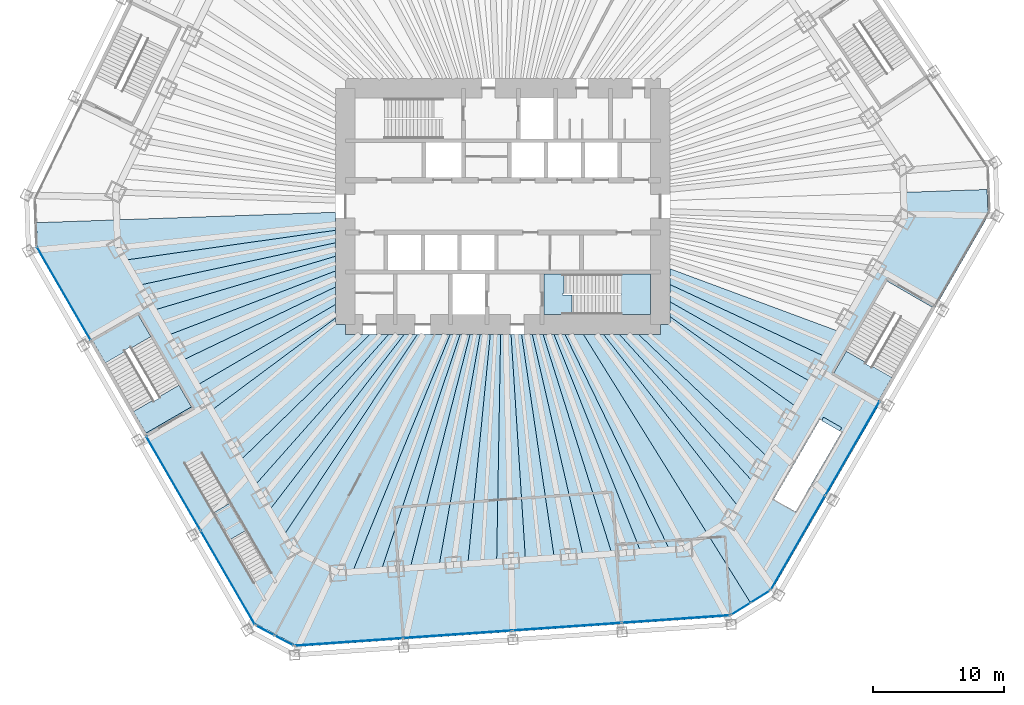
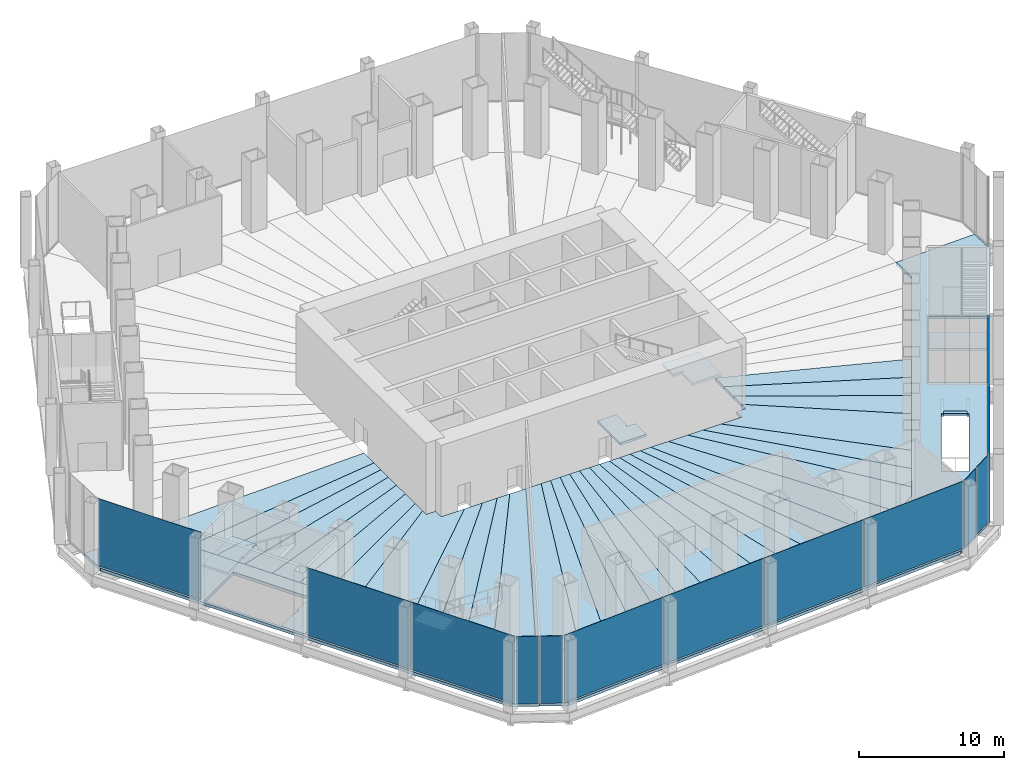
# One storey, part 16 of 23: 42 slabs, 13 plates, 10 elements without a shape of their own.
"""IFC4 building model written with IfcOpenShell, lengths in metres."""

from ifc_helpers import new_model, si_unit, direction, frame, origin, origin_2d, place, context, subcontext, project, spatial, polyline, rectangle, outline, extrude, material, layer, layer_set, constituent, constituent_set, type_object, element, aggregate, save


model = new_model("IFC4")

# Units and contexts
model_context = context("Model", 3, precision=1e-05, world=origin(), true_north=direction((0.0, 1.0)))
body_context = subcontext(model_context, "Body", "Model", "MODEL_VIEW")
ifc_project = project(units=[si_unit("LENGTHUNIT", "METRE"), si_unit("AREAUNIT", "SQUARE_METRE"), si_unit("VOLUMEUNIT", "CUBIC_METRE"), si_unit("PLANEANGLEUNIT", "RADIAN"), si_unit("MASSUNIT", "GRAM", prefix="KILO")], contexts=[model_context])

# Site, building, storey
site_placement = place(None, origin())
site = spatial("IfcSite", under=ifc_project, at=site_placement, CompositionType="ELEMENT")
building_placement = place(site_placement, origin())
building = spatial("IfcBuilding", under=site, at=building_placement, Name="Qingtian Harvest Tower", CompositionType="ELEMENT")
storey_placement = place(building_placement, frame((0.0, 0.0, 6.0)))
storey = spatial("IfcBuildingStorey", under=building, at=storey_placement, Name="L01", CompositionType="ELEMENT", Elevation=6.0)

# Slabs
ifc_material_1 = material(Name="Concrete fc' 35 MPa", Category="concrete")
ifc_layer_1 = layer(ifc_material_1, 0.25)
ifc_layer_set_1 = layer_set([ifc_layer_1], Name="Composite floor slab FS25 250")
slab_type_1 = type_object("IfcSlabType", Name="Composite floor slab FS25 250", PredefinedType="FLOOR", material=ifc_layer_set_1)
slab_1_placement = place(storey_placement, frame((0.0, 0.0, -0.25)))
element("IfcSlab", 1, at=slab_1_placement, inside=storey, type_object=slab_type_1, Name="Floor slab L01 panel DPSE", PredefinedType="FLOOR", context=body_context, shape_type="SweptSolid", body=[
    extrude(outline(polyline([(18.848388671875, -30.163818359375), (15.607421875, -24.977294921875), (17.404541015625, -23.854248046875), (30.618408203125, -0.96728515625), (30.54736328125, 1.066650390625), (36.9111328125, 1.2890625), (36.982177734375, -0.7451171875), (20.6455078125, -29.040771484375), (18.848388671875, -30.163818359375)]), holes=[polyline([(28.739501953125, -14.62158203125), (32.740478515625, -7.69189453125), (29.2763671875, -5.69189453125), (25.275390625, -12.62158203125), (28.739501953125, -14.62158203125)]), polyline([(25.832763671875, -16.86767578125), (24.447265625, -16.067626953125), (24.296630859375, -16.328369140625), (24.167236328125, -16.25244140625), (20.662353515625, -22.3232421875), (22.3076171875, -23.273193359375), (25.812744140625, -17.202392578125), (25.682373046875, -17.128173828125), (25.832763671875, -16.86767578125)])]), origin(), (0.0, 0.0, 1.0), 0.25),
])
slab_2_placement = place(storey_placement, frame((0.0, 0.0, -0.25)))
element("IfcSlab", 2, at=slab_2_placement, inside=storey, type_object=slab_type_1, Name="Floor slab L01 panel DPS", PredefinedType="FLOOR", context=body_context, shape_type="SweptSolid", body=[
    extrude(outline(polyline([(-17.33935546875, -32.6103515625), (-14.349853515625, -26.98828125), (-12.552734375, -27.943603515625), (13.810546875, -26.10009765625), (15.607421875, -24.977294921875), (18.848388671875, -30.163818359375), (17.05126953125, -31.286865234375), (-15.542236328125, -33.56591796875), (-17.33935546875, -32.6103515625)])), origin(), (0.0, 0.0, 1.0), 0.25),
])
slab_3_placement = place(storey_placement, frame((0.0, 0.0, -0.25)))
element("IfcSlab", 3, at=slab_3_placement, inside=storey, type_object=slab_type_1, Name="Floor slab L01 panel DPSW", PredefinedType="FLOOR", context=body_context, shape_type="SweptSolid", body=[
    extrude(outline(polyline([(-35.546875, -1.2412109375), (-29.434814453125, -1.02783203125), (-29.36083984375, -3.145751953125), (-16.14697265625, -26.03271484375), (-14.349853515625, -26.98828125), (-17.33935546875, -32.6103515625), (-19.13623046875, -31.65478515625), (-35.472900390625, -3.359130859375), (-35.546875, -1.2412109375)]), holes=[polyline([(-31.203369140625, -10.354248046875), (-27.202392578125, -17.283935546875), (-23.73828125, -15.283935546875), (-27.7392578125, -8.354248046875), (-31.203369140625, -10.354248046875)])]), origin(), (0.0, 0.0, 1.0), 0.25),
])
slab_4_placement = place(storey_placement, frame((0.0, 0.0, -0.25)))
element("IfcSlab", 4, at=slab_4_placement, inside=storey, type_object=slab_type_1, Name="Floor slab L01 panel D01", PredefinedType="FLOOR", context=body_context, shape_type="SweptSolid", body=[
    extrude(outline(polyline([(-12.75, -0.447509765625), (-12.75, -1.822998046875), (-28.810302734375, -4.099365234375), (-29.36083984375, -3.145751953125), (-29.434814453125, -1.02783203125), (-12.75, -0.447509765625)])), origin(), (0.0, 0.0, 1.0), 0.25),
])
slab_5_placement = place(storey_placement, frame((0.0, 0.0, -0.25)))
element("IfcSlab", 5, at=slab_5_placement, inside=storey, type_object=slab_type_1, Name="Floor slab L01 panel D02", PredefinedType="FLOOR", context=body_context, shape_type="SweptSolid", body=[
    extrude(outline(polyline([(-12.75, -2.773681640625), (-27.708984375, -6.006591796875), (-28.810302734375, -4.099365234375), (-12.75, -1.822998046875), (-12.75, -2.773681640625)])), origin(), (0.0, 0.0, 1.0), 0.25),
])
slab_6_placement = place(storey_placement, frame((0.0, 0.0, -0.25)))
element("IfcSlab", 6, at=slab_6_placement, inside=storey, type_object=slab_type_1, Name="Floor slab L01 panel D03", PredefinedType="FLOOR", context=body_context, shape_type="SweptSolid", body=[
    extrude(outline(polyline([(-12.75, -3.80322265625), (-26.60791015625, -7.913818359375), (-27.708984375, -6.006591796875), (-12.75, -2.773681640625), (-12.75, -3.80322265625)])), origin(), (0.0, 0.0, 1.0), 0.25),
])
slab_7_placement = place(storey_placement, frame((0.0, 0.0, -0.25)))
element("IfcSlab", 7, at=slab_7_placement, inside=storey, type_object=slab_type_1, Name="Floor slab L01 panel D04", PredefinedType="FLOOR", context=body_context, shape_type="SweptSolid", body=[
    extrude(outline(polyline([(-12.75, -4.921875), (-25.5068359375, -9.821044921875), (-26.60791015625, -7.913818359375), (-12.75, -3.80322265625), (-12.75, -4.921875)])), origin(), (0.0, 0.0, 1.0), 0.25),
])
slab_8_placement = place(storey_placement, frame((0.0, 0.0, -0.25)))
element("IfcSlab", 8, at=slab_8_placement, inside=storey, type_object=slab_type_1, Name="Floor slab L01 panel D05", PredefinedType="FLOOR", context=body_context, shape_type="SweptSolid", body=[
    extrude(outline(polyline([(-12.75, -6.141357421875), (-24.405517578125, -11.728271484375), (-25.5068359375, -9.821044921875), (-12.75, -4.921875), (-12.75, -6.141357421875)])), origin(), (0.0, 0.0, 1.0), 0.25),
])
slab_9_placement = place(storey_placement, frame((0.0, 0.0, -0.25)))
element("IfcSlab", 9, at=slab_9_placement, inside=storey, type_object=slab_type_1, Name="Floor slab L01 panel D06", PredefinedType="FLOOR", context=body_context, shape_type="SweptSolid", body=[
    extrude(outline(polyline([(-12.75, -7.4765625), (-23.304443359375, -13.635498046875), (-24.405517578125, -11.728271484375), (-12.75, -6.141357421875), (-12.75, -7.4765625)])), origin(), (0.0, 0.0, 1.0), 0.25),
])
slab_10_placement = place(storey_placement, frame((0.0, 0.0, -0.25)))
element("IfcSlab", 10, at=slab_10_placement, inside=storey, type_object=slab_type_1, Name="Floor slab L01 panel D07", PredefinedType="FLOOR", context=body_context, shape_type="SweptSolid", body=[
    extrude(outline(polyline([(-12.75, -8.512451171875), (-22.203369140625, -15.542724609375), (-23.304443359375, -13.635498046875), (-12.75, -7.4765625), (-12.75, -8.512451171875)])), origin(), (0.0, 0.0, 1.0), 0.25),
])
slab_11_placement = place(storey_placement, frame((0.0, 0.0, -0.25)))
element("IfcSlab", 11, at=slab_11_placement, inside=storey, type_object=slab_type_1, Name="Floor slab L01 panel D09", PredefinedType="FLOOR", context=body_context, shape_type="SweptSolid", body=[
    extrude(outline(polyline([(-20.0009765625, -19.357177734375), (-22.203369140625, -15.542724609375), (-12.75, -8.512451171875), (-12.75, -9.0), (-12.0, -9.0), (-12.0, -9.75), (-10.1123046875, -9.75), (-20.0009765625, -19.357177734375)])), origin(), (0.0, 0.0, 1.0), 0.25),
])
slab_12_placement = place(storey_placement, frame((0.0, 0.0, -0.25)))
element("IfcSlab", 12, at=slab_12_placement, inside=storey, type_object=slab_type_1, Name="Floor slab L01 panel D10", PredefinedType="FLOOR", context=body_context, shape_type="SweptSolid", body=[
    extrude(outline(polyline([(-8.694580078125, -9.75), (-18.89990234375, -21.2646484375), (-20.0009765625, -19.357177734375), (-10.1123046875, -9.75), (-8.694580078125, -9.75)])), origin(), (0.0, 0.0, 1.0), 0.25),
])
slab_13_placement = place(storey_placement, frame((0.0, 0.0, -0.25)))
element("IfcSlab", 13, at=slab_13_placement, inside=storey, type_object=slab_type_1, Name="Floor slab L01 panel D11", PredefinedType="FLOOR", context=body_context, shape_type="SweptSolid", body=[
    extrude(outline(polyline([(-7.511474609375, -9.75), (-17.798583984375, -23.171875), (-18.89990234375, -21.2646484375), (-8.694580078125, -9.75), (-7.511474609375, -9.75)])), origin(), (0.0, 0.0, 1.0), 0.25),
])
slab_14_placement = place(storey_placement, frame((0.0, 0.0, -0.25)))
element("IfcSlab", 14, at=slab_14_placement, inside=storey, type_object=slab_type_1, Name="Floor slab L01 panel D12", PredefinedType="FLOOR", context=body_context, shape_type="SweptSolid", body=[
    extrude(outline(polyline([(-6.509033203125, -9.75), (-16.697509765625, -25.0791015625), (-17.798583984375, -23.171875), (-7.511474609375, -9.75), (-6.509033203125, -9.75)])), origin(), (0.0, 0.0, 1.0), 0.25),
])
slab_15_placement = place(storey_placement, frame((0.0, 0.0, -0.25)))
element("IfcSlab", 15, at=slab_15_placement, inside=storey, type_object=slab_type_1, Name="Floor slab L01 panel D13", PredefinedType="FLOOR", context=body_context, shape_type="SweptSolid", body=[
    extrude(outline(polyline([(-6.509033203125, -9.75), (-5.213623046875, -9.75), (-14.349853515625, -26.98828125), (-16.14697265625, -26.03271484375), (-16.697509765625, -25.0791015625), (-6.509033203125, -9.75)])), origin(), (0.0, 0.0, 1.0), 0.25),
])
slab_16_placement = place(storey_placement, frame((0.0, 0.0, -0.25)))
element("IfcSlab", 16, at=slab_16_placement, inside=storey, type_object=slab_type_1, Name="Floor slab L01 panel D14", PredefinedType="FLOOR", context=body_context, shape_type="SweptSolid", body=[
    extrude(outline(polyline([(-5.213623046875, -9.75), (-4.006591796875, -9.75), (-11.454345703125, -27.866943359375), (-12.552734375, -27.943603515625), (-14.349853515625, -26.98828125), (-5.213623046875, -9.75)])), origin(), (0.0, 0.0, 1.0), 0.25),
])
slab_17_placement = place(storey_placement, frame((0.0, 0.0, -0.25)))
element("IfcSlab", 17, at=slab_17_placement, inside=storey, type_object=slab_type_1, Name="Floor slab L01 panel D15", PredefinedType="FLOOR", context=body_context, shape_type="SweptSolid", body=[
    extrude(outline(polyline([(-3.255859375, -9.75), (-9.25732421875, -27.71337890625), (-11.454345703125, -27.866943359375), (-4.006591796875, -9.75), (-3.255859375, -9.75)])), origin(), (0.0, 0.0, 1.0), 0.25),
])
slab_18_placement = place(storey_placement, frame((0.0, 0.0, -0.25)))
element("IfcSlab", 18, at=slab_18_placement, inside=storey, type_object=slab_type_1, Name="Floor slab L01 panel D16", PredefinedType="FLOOR", context=body_context, shape_type="SweptSolid", body=[
    extrude(outline(polyline([(-2.496826171875, -9.75), (-7.060546875, -27.5595703125), (-9.25732421875, -27.71337890625), (-3.255859375, -9.75), (-2.496826171875, -9.75)])), origin(), (0.0, 0.0, 1.0), 0.25),
])
slab_19_placement = place(storey_placement, frame((0.0, 0.0, -0.25)))
element("IfcSlab", 19, at=slab_19_placement, inside=storey, type_object=slab_type_1, Name="Floor slab L01 panel D17", PredefinedType="FLOOR", context=body_context, shape_type="SweptSolid", body=[
    extrude(outline(polyline([(-1.729248046875, -9.75), (-4.863525390625, -27.406005859375), (-7.060546875, -27.5595703125), (-2.496826171875, -9.75), (-1.729248046875, -9.75)])), origin(), (0.0, 0.0, 1.0), 0.25),
])
slab_20_placement = place(storey_placement, frame((0.0, 0.0, -0.25)))
element("IfcSlab", 20, at=slab_20_placement, inside=storey, type_object=slab_type_1, Name="Floor slab L01 panel D18", PredefinedType="FLOOR", context=body_context, shape_type="SweptSolid", body=[
    extrude(outline(polyline([(-0.952880859375, -9.75), (-2.66650390625, -27.25244140625), (-4.863525390625, -27.406005859375), (-1.729248046875, -9.75), (-0.952880859375, -9.75)])), origin(), (0.0, 0.0, 1.0), 0.25),
])
slab_21_placement = place(storey_placement, frame((0.0, 0.0, -0.25)))
element("IfcSlab", 21, at=slab_21_placement, inside=storey, type_object=slab_type_1, Name="Floor slab L01 panel D19", PredefinedType="FLOOR", context=body_context, shape_type="SweptSolid", body=[
    extrude(outline(polyline([(-0.16796875, -9.75), (-0.4697265625, -27.098876953125), (-2.66650390625, -27.25244140625), (-0.952880859375, -9.75), (-0.16796875, -9.75)])), origin(), (0.0, 0.0, 1.0), 0.25),
])
slab_22_placement = place(storey_placement, frame((0.0, 0.0, -0.25)))
element("IfcSlab", 22, at=slab_22_placement, inside=storey, type_object=slab_type_1, Name="Floor slab L01 panel D20", PredefinedType="FLOOR", context=body_context, shape_type="SweptSolid", body=[
    extrude(outline(polyline([(0.626220703125, -9.75), (1.727294921875, -26.945068359375), (-0.4697265625, -27.098876953125), (-0.16796875, -9.75), (0.626220703125, -9.75)])), origin(), (0.0, 0.0, 1.0), 0.25),
])
slab_23_placement = place(storey_placement, frame((0.0, 0.0, -0.25)))
element("IfcSlab", 23, at=slab_23_placement, inside=storey, type_object=slab_type_1, Name="Floor slab L01 panel D21", PredefinedType="FLOOR", context=body_context, shape_type="SweptSolid", body=[
    extrude(outline(polyline([(1.42919921875, -9.75), (3.92431640625, -26.79150390625), (1.727294921875, -26.945068359375), (0.626220703125, -9.75), (1.42919921875, -9.75)])), origin(), (0.0, 0.0, 1.0), 0.25),
])
slab_24_placement = place(storey_placement, frame((0.0, 0.0, -0.25)))
element("IfcSlab", 24, at=slab_24_placement, inside=storey, type_object=slab_type_1, Name="Floor slab L01 panel D22", PredefinedType="FLOOR", context=body_context, shape_type="SweptSolid", body=[
    extrude(outline(polyline([(2.24169921875, -9.75), (6.12109375, -26.637939453125), (3.92431640625, -26.79150390625), (1.42919921875, -9.75), (2.24169921875, -9.75)])), origin(), (0.0, 0.0, 1.0), 0.25),
])
slab_25_placement = place(storey_placement, frame((0.0, 0.0, -0.25)))
element("IfcSlab", 25, at=slab_25_placement, inside=storey, type_object=slab_type_1, Name="Floor slab L01 panel D23", PredefinedType="FLOOR", context=body_context, shape_type="SweptSolid", body=[
    extrude(outline(polyline([(3.0634765625, -9.75), (8.318115234375, -26.484375), (6.12109375, -26.637939453125), (2.24169921875, -9.75), (3.0634765625, -9.75)])), origin(), (0.0, 0.0, 1.0), 0.25),
])
slab_26_placement = place(storey_placement, frame((0.0, 0.0, -0.25)))
element("IfcSlab", 26, at=slab_26_placement, inside=storey, type_object=slab_type_1, Name="Floor slab L01 panel D24", PredefinedType="FLOOR", context=body_context, shape_type="SweptSolid", body=[
    extrude(outline(polyline([(3.894775390625, -9.75), (10.51513671875, -26.33056640625), (8.318115234375, -26.484375), (3.0634765625, -9.75), (3.894775390625, -9.75)])), origin(), (0.0, 0.0, 1.0), 0.25),
])
slab_27_placement = place(storey_placement, frame((0.0, 0.0, -0.25)))
element("IfcSlab", 27, at=slab_27_placement, inside=storey, type_object=slab_type_1, Name="Floor slab L01 panel D25", PredefinedType="FLOOR", context=body_context, shape_type="SweptSolid", body=[
    extrude(outline(polyline([(4.736083984375, -9.75), (12.7119140625, -26.177001953125), (10.51513671875, -26.33056640625), (3.894775390625, -9.75), (4.736083984375, -9.75)])), origin(), (0.0, 0.0, 1.0), 0.25),
])
slab_28_placement = place(storey_placement, frame((0.0, 0.0, -0.25)))
element("IfcSlab", 28, at=slab_28_placement, inside=storey, type_object=slab_type_1, Name="Floor slab L01 panel D26", PredefinedType="FLOOR", context=body_context, shape_type="SweptSolid", body=[
    extrude(outline(polyline([(4.736083984375, -9.75), (6.136474609375, -9.75), (15.607421875, -24.977294921875), (13.810546875, -26.10009765625), (12.7119140625, -26.177001953125), (4.736083984375, -9.75)])), origin(), (0.0, 0.0, 1.0), 0.25),
])
slab_29_placement = place(storey_placement, frame((0.0, 0.0, -0.25)))
element("IfcSlab", 29, at=slab_29_placement, inside=storey, type_object=slab_type_1, Name="Floor slab L01 panel D27", PredefinedType="FLOOR", context=body_context, shape_type="SweptSolid", body=[
    extrude(outline(polyline([(6.136474609375, -9.75), (7.66748046875, -9.75), (17.955078125, -22.900634765625), (17.404541015625, -23.854248046875), (15.607421875, -24.977294921875), (6.136474609375, -9.75)])), origin(), (0.0, 0.0, 1.0), 0.25),
])
slab_30_placement = place(storey_placement, frame((0.0, 0.0, -0.25)))
element("IfcSlab", 30, at=slab_30_placement, inside=storey, type_object=slab_type_1, Name="Floor slab L01 panel D28", PredefinedType="FLOOR", context=body_context, shape_type="SweptSolid", body=[
    extrude(outline(polyline([(8.88037109375, -9.75), (19.056396484375, -20.993408203125), (17.955078125, -22.900634765625), (7.66748046875, -9.75), (8.88037109375, -9.75)])), origin(), (0.0, 0.0, 1.0), 0.25),
])
slab_31_placement = place(storey_placement, frame((0.0, 0.0, -0.25)))
element("IfcSlab", 31, at=slab_31_placement, inside=storey, type_object=slab_type_1, Name="Floor slab L01 panel D29", PredefinedType="FLOOR", context=body_context, shape_type="SweptSolid", body=[
    extrude(outline(polyline([(10.337158203125, -9.75), (20.157470703125, -19.086181640625), (19.056396484375, -20.993408203125), (8.88037109375, -9.75), (10.337158203125, -9.75)])), origin(), (0.0, 0.0, 1.0), 0.25),
])
slab_32_placement = place(storey_placement, frame((0.0, 0.0, -0.25)))
element("IfcSlab", 32, at=slab_32_placement, inside=storey, type_object=slab_type_1, Name="Floor slab L01 panel D31", PredefinedType="FLOOR", context=body_context, shape_type="SweptSolid", body=[
    extrude(outline(polyline([(12.75, -8.4091796875), (22.35986328125, -15.271728515625), (20.157470703125, -19.086181640625), (10.337158203125, -9.75), (12.0, -9.75), (12.0, -9.0), (12.75, -9.0), (12.75, -8.4091796875)])), origin(), (0.0, 0.0, 1.0), 0.25),
])
slab_33_placement = place(storey_placement, frame((0.0, 0.0, -0.25)))
element("IfcSlab", 33, at=slab_33_placement, inside=storey, type_object=slab_type_1, Name="Floor slab L01 panel D32", PredefinedType="FLOOR", context=body_context, shape_type="SweptSolid", body=[
    extrude(outline(polyline([(12.75, -7.279052734375), (23.4609375, -13.364501953125), (22.35986328125, -15.271728515625), (12.75, -8.4091796875), (12.75, -7.279052734375)])), origin(), (0.0, 0.0, 1.0), 0.25),
])
slab_34_placement = place(storey_placement, frame((0.0, 0.0, -0.25)))
element("IfcSlab", 34, at=slab_34_placement, inside=storey, type_object=slab_type_1, Name="Floor slab L01 panel D33", PredefinedType="FLOOR", context=body_context, shape_type="SweptSolid", body=[
    extrude(outline(polyline([(12.75, -5.96142578125), (24.56201171875, -11.457275390625), (23.4609375, -13.364501953125), (12.75, -7.279052734375), (12.75, -5.96142578125)])), origin(), (0.0, 0.0, 1.0), 0.25),
])
slab_35_placement = place(storey_placement, frame((0.0, 0.0, -0.25)))
element("IfcSlab", 35, at=slab_35_placement, inside=storey, type_object=slab_type_1, Name="Floor slab L01 panel D34", PredefinedType="FLOOR", context=body_context, shape_type="SweptSolid", body=[
    extrude(outline(polyline([(12.75, -4.757080078125), (25.663330078125, -9.550048828125), (24.56201171875, -11.457275390625), (12.75, -5.96142578125), (12.75, -4.757080078125)])), origin(), (0.0, 0.0, 1.0), 0.25),
])
ifc_material_2 = material(Name="Steel deck with terrazzo", Category="steel")
ifc_layer_2 = layer(ifc_material_2, 0.199951171875)
ifc_layer_set_2 = layer_set([ifc_layer_2], Name="Feature stair landing SL3 200")
slab_type_2 = type_object("IfcSlabType", Name="Feature stair landing SL3 200", PredefinedType="LANDING", material=ifc_layer_set_2)
slab_36_placement = place(storey_placement, frame((0.0, 0.0, -0.199951171875)))
element("IfcSlab", 36, at=slab_36_placement, inside=storey, type_object=slab_type_2, Name="Feature stair FS1 top landing", PredefinedType="LANDING", context=body_context, shape_type="SweptSolid", body=[
    extrude(outline(polyline([(25.682373046875, -17.128173828125), (25.832763671875, -16.86767578125), (24.447265625, -16.067626953125), (24.296630859375, -16.328369140625), (25.682373046875, -17.128173828125)])), origin(), (0.0, 0.0, 1.0), 0.199951171875),
])

# Stair, slab
ifc_material_3 = material(Name="Steel SN490B (325 MPa)", Category="steel")
ifc_constituent_1 = constituent(ifc_material_3, Name="Stringers")
ifc_material_4 = material(Name="Terrazzo treads")
ifc_constituent_2 = constituent(ifc_material_4, Name="Treads")
ifc_constituent_set = constituent_set(constituents=[ifc_constituent_1, ifc_constituent_2], Name="Steel SN490B (325 MPa)")
stair_type_1 = type_object("IfcStairType", Name="Feature stair FS6000 straight run", PredefinedType="STRAIGHT_RUN_STAIR", material=ifc_constituent_set)
stair_1_placement = place(storey_placement, origin())
stair_1 = element("IfcStair", 37, at=stair_1_placement, inside=storey, type_object=stair_type_1, Name="Feature stair FS4 L01 to L02", PredefinedType="STRAIGHT_RUN_STAIR")
slab_37_placement = place(storey_placement, frame((0.0, 0.0, 2.800048828125)))
slab_37 = element("IfcSlab", 38, at=slab_37_placement, type_object=slab_type_2, Name="FS4 landing 1", PredefinedType="LANDING", context=body_context, shape_type="SweptSolid", body=[
    extrude(outline(polyline([(-20.707275390625, -22.570556640625), (-19.502197265625, -24.65771484375), (-20.887939453125, -25.457763671875), (-22.0927734375, -23.37060546875), (-20.707275390625, -22.570556640625)])), origin(), (0.0, 0.0, 1.0), 0.199951171875),
])
aggregate(stair_1, [slab_37])

# Curtain wall, plates
ifc_material_5 = material(Name="Bronze-anodised aluminium curtain wall", Category="aluminium")
curtain_wall_type = type_object("IfcCurtainWallType", Name="Curtain wall CW1 podium shopfront", PredefinedType="USERDEFINED", material=ifc_material_5)
curtain_wall_1_placement = place(storey_placement, origin())
curtain_wall_1 = element("IfcCurtainWall", 39, at=curtain_wall_1_placement, inside=storey, type_object=curtain_wall_type, Name="Curtain wall CW1 L01 SE2-3", ObjectType="RECESSED CURTAIN WALL", PredefinedType="USERDEFINED")
ifc_material_6 = material(Name="Bronze-tinted laminated insulating glass", Category="glass")
ifc_layer_3 = layer(ifc_material_6, 0.030029296875)
ifc_layer_set_3 = layer_set([ifc_layer_3], Name="Glazed panel CWP tinted IGU")
plate_type = type_object("IfcPlateType", Name="Glazed panel CWP tinted IGU", PredefinedType="CURTAIN_PANEL", material=ifc_layer_set_3)
plate_1_placement = place(storey_placement, frame((26.647705078125, -18.445068359375, 0.06494140625), z_axis=(0.0, 0.0, 1.0), x_axis=(-0.5, -0.866025403784, 0.0)))
plate_1 = element("IfcPlate", 40, at=plate_1_placement, type_object=plate_type, Name="CW1 panel 1.1", PredefinedType="CURTAIN_PANEL", context=body_context, shape_type="SweptSolid", body=[
    extrude(rectangle(XDim=8.244384765625, YDim=0.030029296875, at=origin_2d()), origin(), (0.0, 0.0, 1.0), 5.68505859375),
])
plate_2_placement = place(storey_placement, frame((22.492919921875, -25.64111328125, 0.06494140625), z_axis=(0.0, 0.0, 1.0), x_axis=(-0.5, -0.866025403784, 0.0)))
plate_2 = element("IfcPlate", 41, at=plate_2_placement, type_object=plate_type, Name="CW1 panel 2.1", PredefinedType="CURTAIN_PANEL", context=body_context, shape_type="SweptSolid", body=[
    extrude(rectangle(XDim=8.244384765625, YDim=0.030029296875, at=origin_2d()), origin(), (0.0, 0.0, 1.0), 5.68505859375),
])
aggregate(curtain_wall_1, [plate_1, plate_2])

curtain_wall_2_placement = place(storey_placement, origin())
curtain_wall_2 = element("IfcCurtainWall", 42, at=curtain_wall_2_placement, inside=storey, type_object=curtain_wall_type, Name="Curtain wall CW1 L01 SEC", ObjectType="RECESSED CURTAIN WALL", PredefinedType="USERDEFINED")
plate_3_placement = place(storey_placement, frame((19.62646484375, -29.750244140625, 0.06494140625), z_axis=(0.0, 0.0, 1.0), x_axis=(-0.848048096156, -0.529919264233, 0.0)))
plate_3 = element("IfcPlate", 43, at=plate_3_placement, type_object=plate_type, Name="CW1 panel 1.1", PredefinedType="CURTAIN_PANEL", context=body_context, shape_type="SweptSolid", body=[
    extrude(rectangle(XDim=1.69287109375, YDim=0.030029296875, at=origin_2d()), origin(), (0.0, 0.0, 1.0), 5.68505859375),
])
plate_4_placement = place(storey_placement, frame((18.1357421875, -30.681640625, 0.06494140625), z_axis=(0.0, 0.0, 1.0), x_axis=(-0.848048096156, -0.529919264233, 0.0)))
plate_4 = element("IfcPlate", 44, at=plate_4_placement, type_object=plate_type, Name="CW1 panel 2.1", PredefinedType="CURTAIN_PANEL", context=body_context, shape_type="SweptSolid", body=[
    extrude(rectangle(XDim=1.69287109375, YDim=0.030029296875, at=origin_2d()), origin(), (0.0, 0.0, 1.0), 5.68505859375),
])
aggregate(curtain_wall_2, [plate_3, plate_4])

curtain_wall_3_placement = place(storey_placement, origin())
curtain_wall_3 = element("IfcCurtainWall", 45, at=curtain_wall_3_placement, inside=storey, type_object=curtain_wall_type, Name="Curtain wall CW1 L01 S0-3", ObjectType="RECESSED CURTAIN WALL", PredefinedType="USERDEFINED")
plate_5_placement = place(storey_placement, frame((13.185791015625, -31.456787109375, 0.06494140625), z_axis=(0.0, 0.0, 1.0), x_axis=(-0.99756405026, -0.069756473744, 0.0)))
plate_5 = element("IfcPlate", 46, at=plate_5_placement, type_object=plate_type, Name="CW1 panel 1.1", PredefinedType="CURTAIN_PANEL", context=body_context, shape_type="SweptSolid", body=[
    extrude(rectangle(XDim=8.244384765625, YDim=0.030029296875, at=origin_2d()), origin(), (0.0, 0.0, 1.0), 5.68505859375),
])
plate_6_placement = place(storey_placement, frame((4.88037109375, -32.03759765625, 0.06494140625), z_axis=(0.0, 0.0, 1.0), x_axis=(-0.99756405026, -0.069756473744, 0.0)))
plate_6 = element("IfcPlate", 47, at=plate_6_placement, type_object=plate_type, Name="CW1 panel 2.1", PredefinedType="CURTAIN_PANEL", context=body_context, shape_type="SweptSolid", body=[
    extrude(rectangle(XDim=8.27685546875, YDim=0.030029296875, at=origin_2d()), origin(), (0.0, 0.0, 1.0), 5.68505859375),
])
plate_7_placement = place(storey_placement, frame((-3.44091796875, -32.619384765625, 0.06494140625), z_axis=(0.0, 0.0, 1.0), x_axis=(-0.99756405026, -0.069756473744, 0.0)))
plate_7 = element("IfcPlate", 48, at=plate_7_placement, type_object=plate_type, Name="CW1 panel 3.1", PredefinedType="CURTAIN_PANEL", context=body_context, shape_type="SweptSolid", body=[
    extrude(rectangle(XDim=8.27685546875, YDim=0.030029296875, at=origin_2d()), origin(), (0.0, 0.0, 1.0), 5.68505859375),
])
plate_8_placement = place(storey_placement, frame((-11.746337890625, -33.2001953125, 0.06494140625), z_axis=(0.0, 0.0, 1.0), x_axis=(-0.99756405026, -0.069756473744, 0.0)))
plate_8 = element("IfcPlate", 49, at=plate_8_placement, type_object=plate_type, Name="CW1 panel 4.1", PredefinedType="CURTAIN_PANEL", context=body_context, shape_type="SweptSolid", body=[
    extrude(rectangle(XDim=8.244384765625, YDim=0.030029296875, at=origin_2d()), origin(), (0.0, 0.0, 1.0), 5.68505859375),
])
aggregate(curtain_wall_3, [plate_5, plate_6, plate_7, plate_8])

curtain_wall_4_placement = place(storey_placement, origin())
curtain_wall_4 = element("IfcCurtainWall", 50, at=curtain_wall_4_placement, inside=storey, type_object=curtain_wall_type, Name="Curtain wall CW1 L01 SC", ObjectType="RECESSED CURTAIN WALL", PredefinedType="USERDEFINED")
plate_9_placement = place(storey_placement, frame((-16.67236328125, -33.093994140625, 0.06494140625), z_axis=(0.0, 0.0, 1.0), x_axis=(-0.882947592859, 0.469471562786, 0.0)))
plate_9 = element("IfcPlate", 51, at=plate_9_placement, type_object=plate_type, Name="CW1 panel 1.1", PredefinedType="CURTAIN_PANEL", context=body_context, shape_type="SweptSolid", body=[
    extrude(rectangle(XDim=1.56689453125, YDim=0.030029296875, at=origin_2d()), origin(), (0.0, 0.0, 1.0), 5.68505859375),
])
plate_10_placement = place(storey_placement, frame((-18.113037109375, -32.327880859375, 0.06494140625), z_axis=(0.0, 0.0, 1.0), x_axis=(-0.882947592859, 0.469471562786, 0.0)))
plate_10 = element("IfcPlate", 52, at=plate_10_placement, type_object=plate_type, Name="CW1 panel 2.1", PredefinedType="CURTAIN_PANEL", context=body_context, shape_type="SweptSolid", body=[
    extrude(rectangle(XDim=1.56689453125, YDim=0.030029296875, at=origin_2d()), origin(), (0.0, 0.0, 1.0), 5.68505859375),
])
aggregate(curtain_wall_4, [plate_9, plate_10])

curtain_wall_5_placement = place(storey_placement, origin())
curtain_wall_5 = element("IfcCurtainWall", 53, at=curtain_wall_5_placement, inside=storey, type_object=curtain_wall_type, Name="Curtain wall CW1 L01 SW0-1", ObjectType="RECESSED CURTAIN WALL", PredefinedType="USERDEFINED")
plate_11_placement = place(storey_placement, frame((-20.955810546875, -28.303466796875, 0.06494140625), z_axis=(0.0, 0.0, 1.0), x_axis=(-0.5, 0.866025403784, 0.0)))
plate_11 = element("IfcPlate", 54, at=plate_11_placement, type_object=plate_type, Name="CW1 panel 1.1", PredefinedType="CURTAIN_PANEL", context=body_context, shape_type="SweptSolid", body=[
    extrude(rectangle(XDim=8.244384765625, YDim=0.030029296875, at=origin_2d()), origin(), (0.0, 0.0, 1.0), 5.68505859375),
])
plate_12_placement = place(storey_placement, frame((-25.110595703125, -21.107421875, 0.06494140625), z_axis=(0.0, 0.0, 1.0), x_axis=(-0.5, 0.866025403784, 0.0)))
plate_12 = element("IfcPlate", 55, at=plate_12_placement, type_object=plate_type, Name="CW1 panel 2.1", PredefinedType="CURTAIN_PANEL", context=body_context, shape_type="SweptSolid", body=[
    extrude(rectangle(XDim=8.244384765625, YDim=0.030029296875, at=origin_2d()), origin(), (0.0, 0.0, 1.0), 5.68505859375),
])
aggregate(curtain_wall_5, [plate_11, plate_12])

# Curtain wall, plate
curtain_wall_6_placement = place(storey_placement, origin())
curtain_wall_6 = element("IfcCurtainWall", 56, at=curtain_wall_6_placement, inside=storey, type_object=curtain_wall_type, Name="Curtain wall CW1 L01 SW3", ObjectType="RECESSED CURTAIN WALL", PredefinedType="USERDEFINED")
plate_13_placement = place(storey_placement, frame((-33.46044921875, -6.64501953125, 0.06494140625), z_axis=(0.0, 0.0, 1.0), x_axis=(-0.5, 0.866025403784, 0.0)))
plate_13 = element("IfcPlate", 57, at=plate_13_placement, type_object=plate_type, Name="CW1 panel 1.1", PredefinedType="CURTAIN_PANEL", context=body_context, shape_type="SweptSolid", body=[
    extrude(rectangle(XDim=8.211669921875, YDim=0.030029296875, at=origin_2d()), origin(), (0.0, 0.0, 1.0), 5.68505859375),
])
aggregate(curtain_wall_6, [plate_13])

# Stair, slab
ifc_material_7 = material(Name="Concrete fc' 35 MPa", Category="concrete")
stair_type_2 = type_object("IfcStairType", Name="Exit stair PS1 6000", PredefinedType="HALF_TURN_STAIR", material=ifc_material_7)
stair_2_placement = place(storey_placement, origin())
stair_2 = element("IfcStair", 58, at=stair_2_placement, inside=storey, type_object=stair_type_2, Name="Exit stair P2 L01", PredefinedType="HALF_TURN_STAIR")
ifc_material_8 = material(Name="Concrete fc' 35 MPa", Category="concrete")
ifc_layer_4 = layer(ifc_material_8, 0.199951171875)
ifc_layer_set_4 = layer_set([ifc_layer_4], Name="Stair landing SL2 200")
slab_type_3 = type_object("IfcSlabType", Name="Stair landing SL2 200", PredefinedType="LANDING", material=ifc_layer_set_4)
slab_38_placement = place(storey_placement, frame((0.0, 0.0, 2.800048828125)))
slab_38 = element("IfcSlab", 59, at=slab_38_placement, type_object=slab_type_3, Name="P2 landing 2", PredefinedType="LANDING", context=body_context, shape_type="SweptSolid", body=[
    extrude(outline(polyline([(25.1904296875, -12.768798828125), (26.186279296875, -11.0439453125), (27.7451171875, -11.94384765625), (27.6953125, -12.030517578125), (28.041748046875, -12.23046875), (28.091552734375, -12.143798828125), (29.650390625, -13.0439453125), (28.654541015625, -14.768798828125), (25.1904296875, -12.768798828125)])), origin(), (0.0, 0.0, 1.0), 0.199951171875),
])
aggregate(stair_2, [slab_38])

# Stair, slabs
stair_3_placement = place(storey_placement, origin())
stair_3 = element("IfcStair", 60, at=stair_3_placement, inside=storey, type_object=stair_type_2, Name="Exit stair P3 L01", PredefinedType="HALF_TURN_STAIR")
slab_39_placement = place(storey_placement, frame((0.0, 0.0, -0.199951171875)))
slab_39 = element("IfcSlab", 61, at=slab_39_placement, type_object=slab_type_3, Name="P3 landing 1", PredefinedType="LANDING", context=body_context, shape_type="SweptSolid", body=[
    extrude(outline(polyline([(-28.15234375, -15.638427734375), (-26.593505859375, -14.738525390625), (-26.543701171875, -14.8251953125), (-26.197265625, -14.625244140625), (-26.247314453125, -14.53857421875), (-24.688232421875, -13.638427734375), (-23.73828125, -15.283935546875), (-27.202392578125, -17.283935546875), (-28.15234375, -15.638427734375)])), origin(), (0.0, 0.0, 1.0), 0.199951171875),
])
slab_40_placement = place(storey_placement, frame((0.0, 0.0, 2.800048828125)))
slab_40 = element("IfcSlab", 62, at=slab_40_placement, type_object=slab_type_3, Name="P3 landing 2", PredefinedType="LANDING", context=body_context, shape_type="SweptSolid", body=[
    extrude(outline(polyline([(-27.82421875, -8.20703125), (-26.828369140625, -9.931884765625), (-28.38720703125, -10.83203125), (-28.437255859375, -10.745361328125), (-28.78369140625, -10.9453125), (-28.733642578125, -11.031982421875), (-30.29248046875, -11.931884765625), (-31.288330078125, -10.20703125), (-27.82421875, -8.20703125)])), origin(), (0.0, 0.0, 1.0), 0.199951171875),
])
aggregate(stair_3, [slab_39, slab_40])

ifc_material_9 = material(Name="Concrete fc' 35 MPa", Category="concrete")
stair_type_3 = type_object("IfcStairType", Name="Special stair ST1 6000", PredefinedType="HALF_TURN_STAIR", material=ifc_material_9)
stair_4_placement = place(storey_placement, origin())
stair_4 = element("IfcStair", 63, at=stair_4_placement, inside=storey, type_object=stair_type_3, Name="Special stair S2 L01", PredefinedType="HALF_TURN_STAIR")
slab_41_placement = place(storey_placement, frame((0.0, 0.0, -0.199951171875)))
slab_41 = element("IfcSlab", 64, at=slab_41_placement, type_object=slab_type_3, Name="S2 landing 1", PredefinedType="LANDING", context=body_context, shape_type="SweptSolid", body=[
    extrude(outline(polyline([(5.260009765625, -8.25), (3.14990234375, -8.25), (3.14990234375, -5.14990234375), (4.64990234375, -5.14990234375), (4.64990234375, -6.64990234375), (4.550048828125, -6.64990234375), (4.550048828125, -6.75), (5.260009765625, -6.75), (5.260009765625, -8.25)])), origin(), (0.0, 0.0, 1.0), 0.199951171875),
])
slab_42_placement = place(storey_placement, frame((0.0, 0.0, 2.800048828125)))
slab_42 = element("IfcSlab", 65, at=slab_42_placement, type_object=slab_type_3, Name="S2 landing 2", PredefinedType="LANDING", context=body_context, shape_type="SweptSolid", body=[
    extrude(outline(polyline([(8.929931640625, -8.25), (8.929931640625, -6.75), (9.030029296875, -6.75), (9.030029296875, -6.64990234375), (8.320068359375, -6.64990234375), (8.320068359375, -5.14990234375), (11.25, -5.14990234375), (11.25, -8.25), (8.929931640625, -8.25)])), origin(), (0.0, 0.0, 1.0), 0.199951171875),
])
aggregate(stair_4, [slab_41, slab_42])

save(model, "model.ifc")
